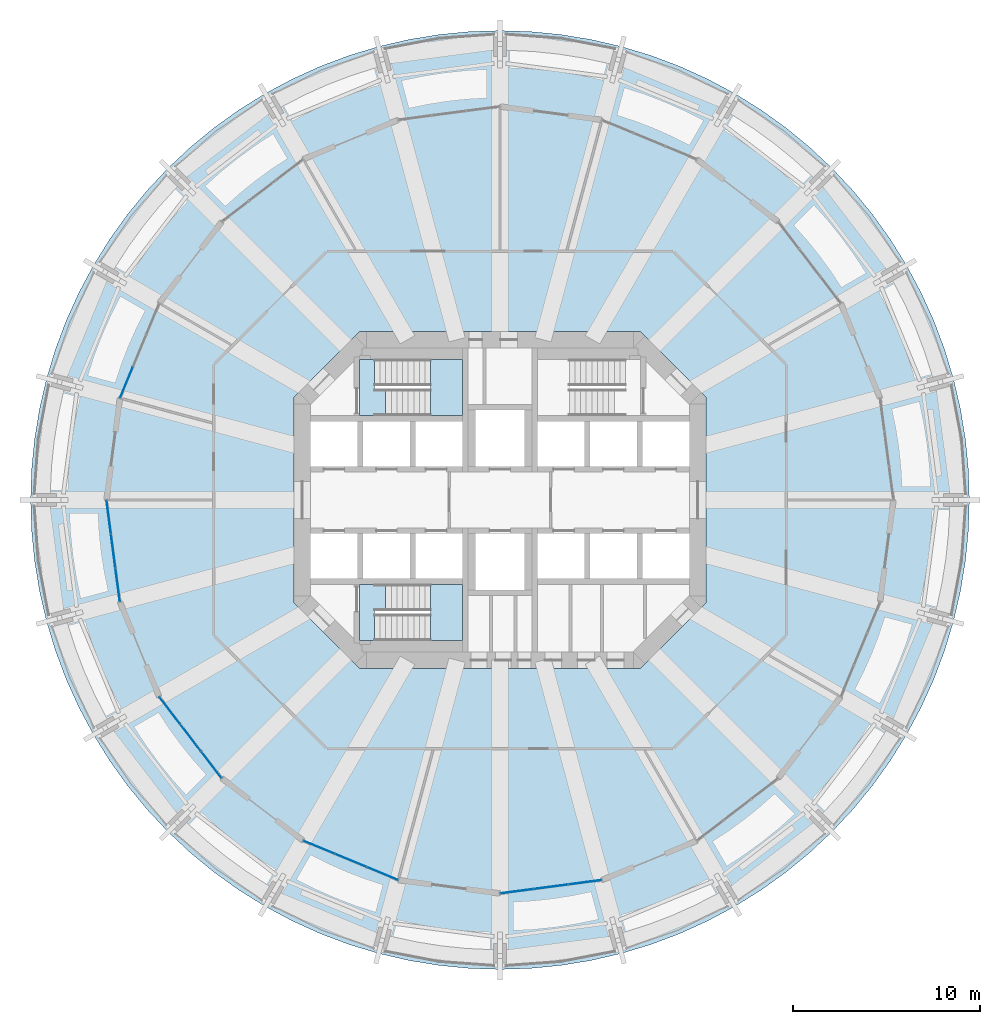
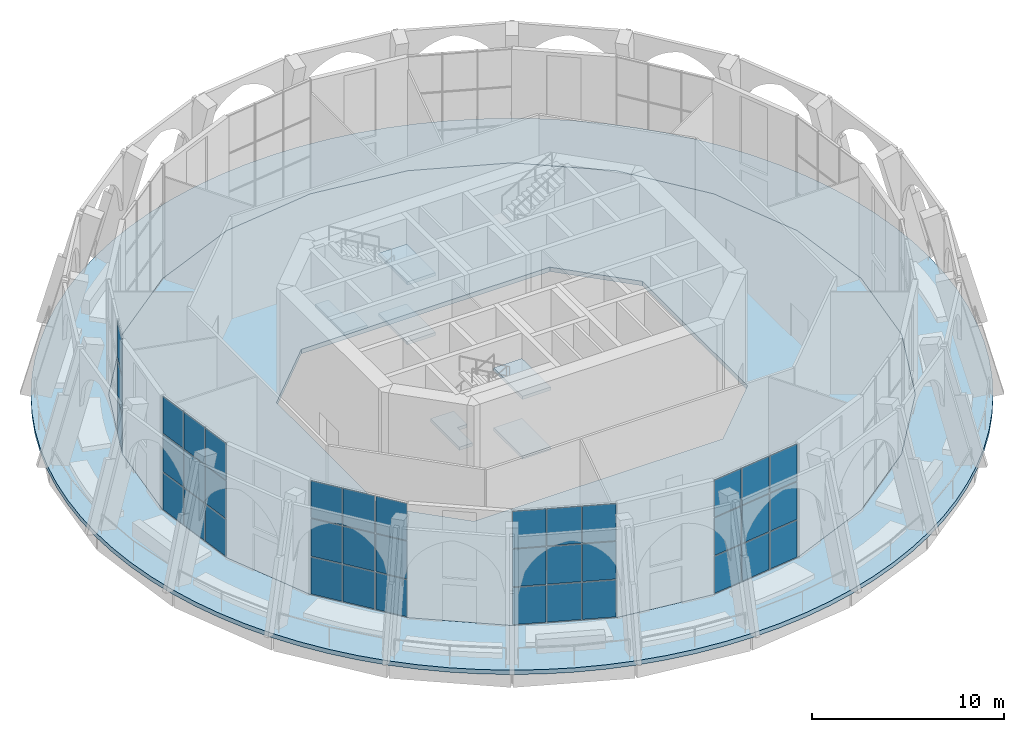
# One storey, part 9 of 18: 39 plates, 8 slabs, 7 elements without a shape of their own.
"""IFC4 building model written with IfcOpenShell, lengths in metres."""

import ifcopenshell
import ifcopenshell.guid

model = None  # the IFC model being written
_history = None  # IfcOwnerHistory: only IFC2X3 demands one
_inside = {}  # id of a spatial element -> (the spatial element, [elements in it])
_under = {}  # id of a project, library or spatial element -> (it, [spatial elements below it])
_declared = {}  # id of a project -> (the project, [libraries it declares])
_typed = {}  # id of a type object -> (the type object, [elements of that type])
_made_of = {}  # id of a material, layer set ... -> (it, [elements and type objects made of it])


def new_model(schema):
    """Start an empty IFC model of exactly this schema.

    Asked for "IFC4X3", IfcOpenShell would pick the latest addendum, in which some entities
    have other attributes; the version numbers below select the first issue.
    IFC2X3 requires an IfcOwnerHistory on every rooted entity: one is made here for all.
    """
    global model, _history
    if schema == "IFC4X3":
        model = ifcopenshell.file(schema_version=(4, 3, 0, 0))
    else:
        model = ifcopenshell.file(schema=schema)
    _inside.clear()
    _under.clear()
    _declared.clear()
    _typed.clear()
    _made_of.clear()
    _history = None
    if model.schema == "IFC2X3":
        org = make("IfcOrganization", Name="unknown")
        user = make(
            "IfcPersonAndOrganization",
            ThePerson=make("IfcPerson", FamilyName="unknown"),
            TheOrganization=org,
        )
        app = make(
            "IfcApplication",
            ApplicationDeveloper=org,
            Version="unknown",
            ApplicationFullName="unknown",
            ApplicationIdentifier="unknown",
        )
        _history = make(
            "IfcOwnerHistory",
            OwningUser=user,
            OwningApplication=app,
            ChangeAction="ADDED",
            CreationDate=0,
        )
    return model


def make(cls, **values):
    """One entity of the class cls with the attributes given. An attribute that is None is left unset."""
    return model.create_entity(
        cls, **{name: value for name, value in values.items() if value is not None}
    )


def rooted(cls, **values):
    """An entity with a GlobalId (a new one), such as an element, a storey or a relation."""
    return make(cls, GlobalId=ifcopenshell.guid.new(), OwnerHistory=_history, **values)


def si_unit(unit_type, name, prefix=None):
    """IfcSIUnit, for example si_unit("LENGTHUNIT", "METRE", prefix="MILLI")."""
    return make("IfcSIUnit", UnitType=unit_type, Prefix=prefix, Name=name)


def assignment(units):
    """IfcUnitAssignment: the units of a project."""
    return None if units is None else make("IfcUnitAssignment", Units=units)


def point(xyz):
    """IfcCartesianPoint."""
    return None if xyz is None else make("IfcCartesianPoint", Coordinates=xyz)


def direction(xyz):
    """IfcDirection."""
    return None if xyz is None else make("IfcDirection", DirectionRatios=xyz)


def frame(location, z_axis=None, x_axis=None):
    """IfcAxis2Placement3D, a coordinate frame: its origin and axes. An axis left out is left unset."""
    return make(
        "IfcAxis2Placement3D",
        Location=point(location),
        Axis=direction(z_axis),
        RefDirection=direction(x_axis),
    )


def frame_2d(location, x_axis=None):
    """IfcAxis2Placement2D, a coordinate frame in the plane: its origin and x axis."""
    return make(
        "IfcAxis2Placement2D", Location=point(location), RefDirection=direction(x_axis)
    )


def origin():
    """The frame at (0, 0, 0) with its axes left unset."""
    return frame((0.0, 0.0, 0.0))


def origin_2d():
    """The frame at (0, 0) in the plane with its x axis left unset."""
    return frame_2d((0.0, 0.0))


def place(relative_to, where):
    """IfcLocalPlacement: puts the frame where relative to a parent placement (None: the world)."""
    return make(
        "IfcLocalPlacement", PlacementRelTo=relative_to, RelativePlacement=where
    )


def context(
    kind, dimensions, precision=None, world=None, true_north=None, identifier=None
):
    """IfcGeometricRepresentationContext, for example the 3D "Model" context."""
    return make(
        "IfcGeometricRepresentationContext",
        ContextIdentifier=identifier,
        ContextType=kind,
        CoordinateSpaceDimension=dimensions,
        Precision=precision,
        WorldCoordinateSystem=world,
        TrueNorth=true_north,
    )


def subcontext(parent, identifier, kind, view, scale=None):
    """IfcGeometricRepresentationSubContext, for example "Body" below "Model"."""
    return make(
        "IfcGeometricRepresentationSubContext",
        ContextIdentifier=identifier,
        ContextType=kind,
        ParentContext=parent,
        TargetScale=scale,
        TargetView=view,
    )


def project(units=None, contexts=None):
    """IfcProject with its units and contexts."""
    return rooted(
        "IfcProject",
        Name="project",
        RepresentationContexts=contexts,
        UnitsInContext=assignment(units),
    )


def spatial(cls, under=None, at=None, **own):
    """A site, building, storey or space (cls), placed at a placement, below another one or the project."""
    s = rooted(cls, ObjectPlacement=at, **own)
    if under is not None:
        _under.setdefault(under.id(), (under, []))[1].append(s)
    return s


def polyline(points):
    """IfcPolyline through the points."""
    return make("IfcPolyline", Points=[point(p) for p in points])


def profile(cls, at=None, kind="AREA", **sizes):
    """A parametric profile (cls). Its sizes go by their IFC names, for example OverallWidth=200.0."""
    return make(cls, ProfileType=kind, Position=at, **sizes)


def rectangle(**sizes):
    """IfcRectangleProfileDef."""
    return profile("IfcRectangleProfileDef", **sizes)


def outline(outer, holes=None, kind="AREA"):
    """IfcArbitraryClosedProfileDef: a profile drawn as a closed curve; with holes, ...WithVoids."""
    if holes is None:
        return make("IfcArbitraryClosedProfileDef", ProfileType=kind, OuterCurve=outer)
    return make(
        "IfcArbitraryProfileDefWithVoids",
        ProfileType=kind,
        OuterCurve=outer,
        InnerCurves=holes,
    )


def extrude(swept, where, along, depth):
    """IfcExtrudedAreaSolid: the profile swept, set in the frame where, extruded along a direction by depth."""
    return make(
        "IfcExtrudedAreaSolid",
        SweptArea=swept,
        Position=where,
        ExtrudedDirection=direction(along),
        Depth=depth,
    )


def shape(context_of_items, identifier, shape_type, items):
    """IfcShapeRepresentation: the items that make up one representation, for example the "Body"."""
    return make(
        "IfcShapeRepresentation",
        ContextOfItems=context_of_items,
        RepresentationIdentifier=identifier,
        RepresentationType=shape_type,
        Items=items,
    )


def material(Name=None, Category=None):
    """IfcMaterial."""
    return make("IfcMaterial", Name=Name, Category=Category)


def layer(
    of_material, thickness, ventilated=None, Name=None, Category=None, Priority=None
):
    """IfcMaterialLayer: one layer of a wall or slab, of a material (None: an air gap)."""
    return make(
        "IfcMaterialLayer",
        Material=of_material,
        LayerThickness=thickness,
        IsVentilated=ventilated,
        Name=Name,
        Category=Category,
        Priority=Priority,
    )


def layer_set(layers, Name=None):
    """IfcMaterialLayerSet."""
    return make("IfcMaterialLayerSet", MaterialLayers=layers, LayerSetName=Name)


def made_of(thing, what):
    """Note that an element or type object is made of a material, layer set ...; save() writes the relation."""
    if what is not None:
        _made_of.setdefault(what.id(), (what, []))[1].append(thing)
    return thing


def type_object(cls, material=None, **own):
    """A type object (cls), such as IfcWallType, which elements share."""
    return made_of(rooted(cls, **own), material)


def element(
    cls,
    number,
    at=None,
    inside=None,
    cuts=None,
    type_object=None,
    material=None,
    context=None,
    identifier="Body",
    shape_type=None,
    held_by="IfcProductDefinitionShape",
    body=None,
    shapes=None,
    **own,
):
    """One element of the class cls, such as IfcWall. Its Tag is "e" and its number.

    at: its placement. inside: the storey or other place that contains it. cuts: it is an
    opening in that element (IfcRelVoidsElement). A single representation is given by context,
    identifier, shape_type and body (its items); several are given by shapes. held_by: the class
    of the entity that holds the representations. save() writes the other relations.
    """
    e = rooted(cls, Tag="e%d" % number, ObjectPlacement=at, **own)
    if body is not None:
        shapes = [shape(context, identifier, shape_type, body)]
    if shapes is not None:
        e.Representation = make(held_by, Representations=shapes)
    if inside is not None:
        _inside.setdefault(inside.id(), (inside, []))[1].append(e)
    if cuts is not None:
        rooted(
            "IfcRelVoidsElement", RelatingBuildingElement=cuts, RelatedOpeningElement=e
        )
    if type_object is not None:
        _typed.setdefault(type_object.id(), (type_object, []))[1].append(e)
    return made_of(e, material)


def aggregate(whole, parts):
    """IfcRelAggregates: a whole, such as a stair, and the parts it consists of."""
    return rooted("IfcRelAggregates", RelatingObject=whole, RelatedObjects=parts)


def save(model, path):
    """Write the relations noted so far, then the file.

    IfcRelAggregates (storeys below a building ...), IfcRelContainedInSpatialStructure (elements
    in a storey), IfcRelDefinesByType, IfcRelAssociatesMaterial and IfcRelDeclares: one each for
    every whole, place, type object, material and project.
    """
    for whole, parts in _under.values():
        aggregate(whole, parts)
    for where, things in _inside.values():
        rooted(
            "IfcRelContainedInSpatialStructure",
            RelatedElements=things,
            RelatingStructure=where,
        )
    for kind, things in _typed.values():
        rooted("IfcRelDefinesByType", RelatedObjects=things, RelatingType=kind)
    for what, things in _made_of.values():
        rooted("IfcRelAssociatesMaterial", RelatedObjects=things, RelatingMaterial=what)
    for by, libraries in _declared.values():
        rooted("IfcRelDeclares", RelatingContext=by, RelatedDefinitions=libraries)
    model.write(path)


model = new_model("IFC4")

# Units and contexts
model_context = context("Model", 3, precision=1e-05, world=origin(), true_north=direction((0.0, 1.0)))
body_context = subcontext(model_context, "Body", "Model", "MODEL_VIEW")
ifc_project = project(units=[si_unit("LENGTHUNIT", "METRE"), si_unit("AREAUNIT", "SQUARE_METRE"), si_unit("VOLUMEUNIT", "CUBIC_METRE"), si_unit("PLANEANGLEUNIT", "RADIAN"), si_unit("MASSUNIT", "GRAM", prefix="KILO")], contexts=[model_context])

# Site, building, storey
site_placement = place(None, origin())
site = spatial("IfcSite", under=ifc_project, at=site_placement, CompositionType="ELEMENT")
building_placement = place(site_placement, origin())
building = spatial("IfcBuilding", under=site, at=building_placement, Name="Torre Triforio", CompositionType="ELEMENT")
storey_placement = place(building_placement, frame((0.0, 0.0, 146.60009765625)))
storey = spatial("IfcBuildingStorey", under=building, at=storey_placement, Name="L33", CompositionType="ELEMENT", Elevation=146.60009765625)

# Curtain wall, plates
ifc_material_1 = material(Name="Aluminium mullion and transom frame with clear laminated glass", Category="aluminium")
curtain_wall_type = type_object("IfcCurtainWallType", Name="Sky garden conservatory wall ECW3", PredefinedType="NOTDEFINED", material=ifc_material_1)
curtain_wall_1_placement = place(storey_placement, origin())
curtain_wall_1 = element("IfcCurtainWall", 1, at=curtain_wall_1_placement, inside=storey, type_object=curtain_wall_type, Name="Conservatory wall L33 bay 11", PredefinedType="NOTDEFINED")
ifc_material_2 = material(Name="Clear laminated glass", Category="glass")
ifc_layer_1 = layer(ifc_material_2, 0.028076171875)
ifc_layer_set_1 = layer_set([ifc_layer_1], Name="Clear laminated glass")
plate_type = type_object("IfcPlateType", Name="ECW3 glass panel 28", PredefinedType="CURTAIN_PANEL", material=ifc_layer_set_1)
plate_1_placement = place(storey_placement, frame((-19.936767578125, 6.274658203125, 0.059814453125), z_axis=(0.0, 0.0, 1.0), x_axis=(-0.382674764107, -0.923883122974, 0.0)))
plate_1 = element("IfcPlate", 2, at=plate_1_placement, type_object=plate_type, Name="ECW3 panel 3.1", PredefinedType="CURTAIN_PANEL", context=body_context, shape_type="SweptSolid", body=[
    extrude(rectangle(XDim=1.75732421875, YDim=0.028076171875, at=origin_2d()), origin(), (0.0, 0.0, 1.0), 2.35009765625),
])
plate_2_placement = place(storey_placement, frame((-19.936767578125, 6.274658203125, 2.469970703125), z_axis=(0.0, 0.0, 1.0), x_axis=(-0.382674764107, -0.923883122974, 0.0)))
plate_2 = element("IfcPlate", 3, at=plate_2_placement, type_object=plate_type, Name="ECW3 panel 3.2", PredefinedType="CURTAIN_PANEL", context=body_context, shape_type="SweptSolid", body=[
    extrude(rectangle(XDim=1.75732421875, YDim=0.028076171875, at=origin_2d()), origin(), (0.0, 0.0, 1.0), 2.3798828125),
])
plate_3_placement = place(storey_placement, frame((-19.936767578125, 6.274658203125, 4.909912109375), z_axis=(0.0, 0.0, 1.0), x_axis=(-0.382674764107, -0.923883122974, 0.0)))
plate_3 = element("IfcPlate", 4, at=plate_3_placement, type_object=plate_type, Name="ECW3 panel 3.3", PredefinedType="CURTAIN_PANEL", context=body_context, shape_type="SweptSolid", body=[
    extrude(rectangle(XDim=1.75732421875, YDim=0.028076171875, at=origin_2d()), origin(), (0.0, 0.0, 1.0), 2.35009765625),
])
aggregate(curtain_wall_1, [plate_1, plate_2, plate_3])

curtain_wall_2_placement = place(storey_placement, origin())
curtain_wall_2 = element("IfcCurtainWall", 5, at=curtain_wall_2_placement, inside=storey, type_object=curtain_wall_type, Name="Conservatory wall L33 bay 13", PredefinedType="NOTDEFINED")
plate_4_placement = place(storey_placement, frame((-20.88134765625, -0.90087890625, 0.059814453125), z_axis=(0.0, 0.0, 1.0), x_axis=(0.130530127386, -0.991444343291, 0.0)))
plate_4 = element("IfcPlate", 6, at=plate_4_placement, type_object=plate_type, Name="ECW3 panel 1.1", PredefinedType="CURTAIN_PANEL", context=body_context, shape_type="SweptSolid", body=[
    extrude(rectangle(XDim=1.75732421875, YDim=0.028076171875, at=origin_2d()), origin(), (0.0, 0.0, 1.0), 2.35009765625),
])
plate_5_placement = place(storey_placement, frame((-20.88134765625, -0.90087890625, 2.469970703125), z_axis=(0.0, 0.0, 1.0), x_axis=(0.130530127386, -0.991444343291, 0.0)))
plate_5 = element("IfcPlate", 7, at=plate_5_placement, type_object=plate_type, Name="ECW3 panel 1.2", PredefinedType="CURTAIN_PANEL", context=body_context, shape_type="SweptSolid", body=[
    extrude(rectangle(XDim=1.75732421875, YDim=0.028076171875, at=origin_2d()), origin(), (0.0, 0.0, 1.0), 2.3798828125),
])
plate_6_placement = place(storey_placement, frame((-20.88134765625, -0.90087890625, 4.909912109375), z_axis=(0.0, 0.0, 1.0), x_axis=(0.130530127386, -0.991444343291, 0.0)))
plate_6 = element("IfcPlate", 8, at=plate_6_placement, type_object=plate_type, Name="ECW3 panel 1.3", PredefinedType="CURTAIN_PANEL", context=body_context, shape_type="SweptSolid", body=[
    extrude(rectangle(XDim=1.75732421875, YDim=0.028076171875, at=origin_2d()), origin(), (0.0, 0.0, 1.0), 2.35009765625),
])
plate_7_placement = place(storey_placement, frame((-20.64208984375, -2.717529296875, 0.059814453125), z_axis=(0.0, 0.0, 1.0), x_axis=(0.130530127386, -0.991444343291, 0.0)))
plate_7 = element("IfcPlate", 9, at=plate_7_placement, type_object=plate_type, Name="ECW3 panel 2.1", PredefinedType="CURTAIN_PANEL", context=body_context, shape_type="SweptSolid", body=[
    extrude(rectangle(XDim=1.787353515625, YDim=0.028076171875, at=origin_2d()), origin(), (0.0, 0.0, 1.0), 2.35009765625),
])
plate_8_placement = place(storey_placement, frame((-20.64208984375, -2.717529296875, 2.469970703125), z_axis=(0.0, 0.0, 1.0), x_axis=(0.130530127386, -0.991444343291, 0.0)))
plate_8 = element("IfcPlate", 10, at=plate_8_placement, type_object=plate_type, Name="ECW3 panel 2.2", PredefinedType="CURTAIN_PANEL", context=body_context, shape_type="SweptSolid", body=[
    extrude(rectangle(XDim=1.787353515625, YDim=0.028076171875, at=origin_2d()), origin(), (0.0, 0.0, 1.0), 2.3798828125),
])
plate_9_placement = place(storey_placement, frame((-20.64208984375, -2.717529296875, 4.909912109375), z_axis=(0.0, 0.0, 1.0), x_axis=(0.130530127386, -0.991444343291, 0.0)))
plate_9 = element("IfcPlate", 11, at=plate_9_placement, type_object=plate_type, Name="ECW3 panel 2.3", PredefinedType="CURTAIN_PANEL", context=body_context, shape_type="SweptSolid", body=[
    extrude(rectangle(XDim=1.787353515625, YDim=0.028076171875, at=origin_2d()), origin(), (0.0, 0.0, 1.0), 2.35009765625),
])
plate_10_placement = place(storey_placement, frame((-20.403076171875, -4.5341796875, 0.059814453125), z_axis=(0.0, 0.0, 1.0), x_axis=(0.130530127386, -0.991444343291, 0.0)))
plate_10 = element("IfcPlate", 12, at=plate_10_placement, type_object=plate_type, Name="ECW3 panel 3.1", PredefinedType="CURTAIN_PANEL", context=body_context, shape_type="SweptSolid", body=[
    extrude(rectangle(XDim=1.75732421875, YDim=0.028076171875, at=origin_2d()), origin(), (0.0, 0.0, 1.0), 2.35009765625),
])
plate_11_placement = place(storey_placement, frame((-20.403076171875, -4.5341796875, 2.469970703125), z_axis=(0.0, 0.0, 1.0), x_axis=(0.130530127386, -0.991444343291, 0.0)))
plate_11 = element("IfcPlate", 13, at=plate_11_placement, type_object=plate_type, Name="ECW3 panel 3.2", PredefinedType="CURTAIN_PANEL", context=body_context, shape_type="SweptSolid", body=[
    extrude(rectangle(XDim=1.75732421875, YDim=0.028076171875, at=origin_2d()), origin(), (0.0, 0.0, 1.0), 2.3798828125),
])
plate_12_placement = place(storey_placement, frame((-20.403076171875, -4.5341796875, 4.909912109375), z_axis=(0.0, 0.0, 1.0), x_axis=(0.130530127386, -0.991444343291, 0.0)))
plate_12 = element("IfcPlate", 14, at=plate_12_placement, type_object=plate_type, Name="ECW3 panel 3.3", PredefinedType="CURTAIN_PANEL", context=body_context, shape_type="SweptSolid", body=[
    extrude(rectangle(XDim=1.75732421875, YDim=0.028076171875, at=origin_2d()), origin(), (0.0, 0.0, 1.0), 2.35009765625),
])
aggregate(curtain_wall_2, [plate_4, plate_5, plate_6, plate_7, plate_8, plate_9, plate_10, plate_11, plate_12])

curtain_wall_3_placement = place(storey_placement, origin())
curtain_wall_3 = element("IfcCurtainWall", 15, at=curtain_wall_3_placement, inside=storey, type_object=curtain_wall_type, Name="Conservatory wall L33 bay 15", PredefinedType="NOTDEFINED")
plate_13_placement = place(storey_placement, frame((-17.63330078125, -11.220947265625, 0.059814453125), z_axis=(0.0, 0.0, 1.0), x_axis=(0.608763325538, -0.793351885029, 0.0)))
plate_13 = element("IfcPlate", 16, at=plate_13_placement, type_object=plate_type, Name="ECW3 panel 1.1", PredefinedType="CURTAIN_PANEL", context=body_context, shape_type="SweptSolid", body=[
    extrude(rectangle(XDim=1.75732421875, YDim=0.028076171875, at=origin_2d()), origin(), (0.0, 0.0, 1.0), 2.35009765625),
])
plate_14_placement = place(storey_placement, frame((-17.63330078125, -11.220947265625, 2.469970703125), z_axis=(0.0, 0.0, 1.0), x_axis=(0.608763325538, -0.793351885029, 0.0)))
plate_14 = element("IfcPlate", 17, at=plate_14_placement, type_object=plate_type, Name="ECW3 panel 1.2", PredefinedType="CURTAIN_PANEL", context=body_context, shape_type="SweptSolid", body=[
    extrude(rectangle(XDim=1.75732421875, YDim=0.028076171875, at=origin_2d()), origin(), (0.0, 0.0, 1.0), 2.3798828125),
])
plate_15_placement = place(storey_placement, frame((-17.63330078125, -11.220947265625, 4.909912109375), z_axis=(0.0, 0.0, 1.0), x_axis=(0.608763325538, -0.793351885029, 0.0)))
plate_15 = element("IfcPlate", 18, at=plate_15_placement, type_object=plate_type, Name="ECW3 panel 1.3", PredefinedType="CURTAIN_PANEL", context=body_context, shape_type="SweptSolid", body=[
    extrude(rectangle(XDim=1.75732421875, YDim=0.028076171875, at=origin_2d()), origin(), (0.0, 0.0, 1.0), 2.35009765625),
])
plate_16_placement = place(storey_placement, frame((-16.517822265625, -12.674560546875, 0.059814453125), z_axis=(0.0, 0.0, 1.0), x_axis=(0.608763325538, -0.793351885029, 0.0)))
plate_16 = element("IfcPlate", 19, at=plate_16_placement, type_object=plate_type, Name="ECW3 panel 2.1", PredefinedType="CURTAIN_PANEL", context=body_context, shape_type="SweptSolid", body=[
    extrude(rectangle(XDim=1.787353515625, YDim=0.028076171875, at=origin_2d()), origin(), (0.0, 0.0, 1.0), 2.35009765625),
])
plate_17_placement = place(storey_placement, frame((-16.517822265625, -12.674560546875, 2.469970703125), z_axis=(0.0, 0.0, 1.0), x_axis=(0.608763325538, -0.793351885029, 0.0)))
plate_17 = element("IfcPlate", 20, at=plate_17_placement, type_object=plate_type, Name="ECW3 panel 2.2", PredefinedType="CURTAIN_PANEL", context=body_context, shape_type="SweptSolid", body=[
    extrude(rectangle(XDim=1.787353515625, YDim=0.028076171875, at=origin_2d()), origin(), (0.0, 0.0, 1.0), 2.3798828125),
])
plate_18_placement = place(storey_placement, frame((-16.517822265625, -12.674560546875, 4.909912109375), z_axis=(0.0, 0.0, 1.0), x_axis=(0.608763325538, -0.793351885029, 0.0)))
plate_18 = element("IfcPlate", 21, at=plate_18_placement, type_object=plate_type, Name="ECW3 panel 2.3", PredefinedType="CURTAIN_PANEL", context=body_context, shape_type="SweptSolid", body=[
    extrude(rectangle(XDim=1.787353515625, YDim=0.028076171875, at=origin_2d()), origin(), (0.0, 0.0, 1.0), 2.35009765625),
])
plate_19_placement = place(storey_placement, frame((-15.40234375, -14.12841796875, 0.059814453125), z_axis=(0.0, 0.0, 1.0), x_axis=(0.608763325538, -0.793351885029, 0.0)))
plate_19 = element("IfcPlate", 22, at=plate_19_placement, type_object=plate_type, Name="ECW3 panel 3.1", PredefinedType="CURTAIN_PANEL", context=body_context, shape_type="SweptSolid", body=[
    extrude(rectangle(XDim=1.75732421875, YDim=0.028076171875, at=origin_2d()), origin(), (0.0, 0.0, 1.0), 2.35009765625),
])
plate_20_placement = place(storey_placement, frame((-15.40234375, -14.12841796875, 2.469970703125), z_axis=(0.0, 0.0, 1.0), x_axis=(0.608763325538, -0.793351885029, 0.0)))
plate_20 = element("IfcPlate", 23, at=plate_20_placement, type_object=plate_type, Name="ECW3 panel 3.2", PredefinedType="CURTAIN_PANEL", context=body_context, shape_type="SweptSolid", body=[
    extrude(rectangle(XDim=1.75732421875, YDim=0.028076171875, at=origin_2d()), origin(), (0.0, 0.0, 1.0), 2.3798828125),
])
plate_21_placement = place(storey_placement, frame((-15.40234375, -14.12841796875, 4.909912109375), z_axis=(0.0, 0.0, 1.0), x_axis=(0.608763325538, -0.793351885029, 0.0)))
plate_21 = element("IfcPlate", 24, at=plate_21_placement, type_object=plate_type, Name="ECW3 panel 3.3", PredefinedType="CURTAIN_PANEL", context=body_context, shape_type="SweptSolid", body=[
    extrude(rectangle(XDim=1.75732421875, YDim=0.028076171875, at=origin_2d()), origin(), (0.0, 0.0, 1.0), 2.35009765625),
])
aggregate(curtain_wall_3, [plate_13, plate_14, plate_15, plate_16, plate_17, plate_18, plate_19, plate_20, plate_21])

curtain_wall_4_placement = place(storey_placement, origin())
curtain_wall_4 = element("IfcCurtainWall", 25, at=curtain_wall_4_placement, inside=storey, type_object=curtain_wall_type, Name="Conservatory wall L33 bay 17", PredefinedType="NOTDEFINED")
plate_22_placement = place(storey_placement, frame((-9.660400390625, -18.534423828125, 0.059814453125), z_axis=(0.0, 0.0, 1.0), x_axis=(0.923883122974, -0.382674764107, 0.0)))
plate_22 = element("IfcPlate", 26, at=plate_22_placement, type_object=plate_type, Name="ECW3 panel 1.1", PredefinedType="CURTAIN_PANEL", context=body_context, shape_type="SweptSolid", body=[
    extrude(rectangle(XDim=1.75732421875, YDim=0.028076171875, at=origin_2d()), origin(), (0.0, 0.0, 1.0), 2.35009765625),
])
plate_23_placement = place(storey_placement, frame((-9.660400390625, -18.534423828125, 2.469970703125), z_axis=(0.0, 0.0, 1.0), x_axis=(0.923883122974, -0.382674764107, 0.0)))
plate_23 = element("IfcPlate", 27, at=plate_23_placement, type_object=plate_type, Name="ECW3 panel 1.2", PredefinedType="CURTAIN_PANEL", context=body_context, shape_type="SweptSolid", body=[
    extrude(rectangle(XDim=1.75732421875, YDim=0.028076171875, at=origin_2d()), origin(), (0.0, 0.0, 1.0), 2.3798828125),
])
plate_24_placement = place(storey_placement, frame((-9.660400390625, -18.534423828125, 4.909912109375), z_axis=(0.0, 0.0, 1.0), x_axis=(0.923883122974, -0.382674764107, 0.0)))
plate_24 = element("IfcPlate", 28, at=plate_24_placement, type_object=plate_type, Name="ECW3 panel 1.3", PredefinedType="CURTAIN_PANEL", context=body_context, shape_type="SweptSolid", body=[
    extrude(rectangle(XDim=1.75732421875, YDim=0.028076171875, at=origin_2d()), origin(), (0.0, 0.0, 1.0), 2.35009765625),
])
plate_25_placement = place(storey_placement, frame((-7.967529296875, -19.235595703125, 0.059814453125), z_axis=(0.0, 0.0, 1.0), x_axis=(0.923883122974, -0.382674764107, 0.0)))
plate_25 = element("IfcPlate", 29, at=plate_25_placement, type_object=plate_type, Name="ECW3 panel 2.1", PredefinedType="CURTAIN_PANEL", context=body_context, shape_type="SweptSolid", body=[
    extrude(rectangle(XDim=1.787353515625, YDim=0.028076171875, at=origin_2d()), origin(), (0.0, 0.0, 1.0), 2.35009765625),
])
plate_26_placement = place(storey_placement, frame((-7.967529296875, -19.235595703125, 2.469970703125), z_axis=(0.0, 0.0, 1.0), x_axis=(0.923883122974, -0.382674764107, 0.0)))
plate_26 = element("IfcPlate", 30, at=plate_26_placement, type_object=plate_type, Name="ECW3 panel 2.2", PredefinedType="CURTAIN_PANEL", context=body_context, shape_type="SweptSolid", body=[
    extrude(rectangle(XDim=1.787353515625, YDim=0.028076171875, at=origin_2d()), origin(), (0.0, 0.0, 1.0), 2.3798828125),
])
plate_27_placement = place(storey_placement, frame((-7.967529296875, -19.235595703125, 4.909912109375), z_axis=(0.0, 0.0, 1.0), x_axis=(0.923883122974, -0.382674764107, 0.0)))
plate_27 = element("IfcPlate", 31, at=plate_27_placement, type_object=plate_type, Name="ECW3 panel 2.3", PredefinedType="CURTAIN_PANEL", context=body_context, shape_type="SweptSolid", body=[
    extrude(rectangle(XDim=1.787353515625, YDim=0.028076171875, at=origin_2d()), origin(), (0.0, 0.0, 1.0), 2.35009765625),
])
plate_28_placement = place(storey_placement, frame((-6.274658203125, -19.936767578125, 0.059814453125), z_axis=(0.0, 0.0, 1.0), x_axis=(0.923883122974, -0.382674764107, 0.0)))
plate_28 = element("IfcPlate", 32, at=plate_28_placement, type_object=plate_type, Name="ECW3 panel 3.1", PredefinedType="CURTAIN_PANEL", context=body_context, shape_type="SweptSolid", body=[
    extrude(rectangle(XDim=1.75732421875, YDim=0.028076171875, at=origin_2d()), origin(), (0.0, 0.0, 1.0), 2.35009765625),
])
plate_29_placement = place(storey_placement, frame((-6.274658203125, -19.936767578125, 2.469970703125), z_axis=(0.0, 0.0, 1.0), x_axis=(0.923883122974, -0.382674764107, 0.0)))
plate_29 = element("IfcPlate", 33, at=plate_29_placement, type_object=plate_type, Name="ECW3 panel 3.2", PredefinedType="CURTAIN_PANEL", context=body_context, shape_type="SweptSolid", body=[
    extrude(rectangle(XDim=1.75732421875, YDim=0.028076171875, at=origin_2d()), origin(), (0.0, 0.0, 1.0), 2.3798828125),
])
plate_30_placement = place(storey_placement, frame((-6.274658203125, -19.936767578125, 4.909912109375), z_axis=(0.0, 0.0, 1.0), x_axis=(0.923883122974, -0.382674764107, 0.0)))
plate_30 = element("IfcPlate", 34, at=plate_30_placement, type_object=plate_type, Name="ECW3 panel 3.3", PredefinedType="CURTAIN_PANEL", context=body_context, shape_type="SweptSolid", body=[
    extrude(rectangle(XDim=1.75732421875, YDim=0.028076171875, at=origin_2d()), origin(), (0.0, 0.0, 1.0), 2.35009765625),
])
aggregate(curtain_wall_4, [plate_22, plate_23, plate_24, plate_25, plate_26, plate_27, plate_28, plate_29, plate_30])

curtain_wall_5_placement = place(storey_placement, origin())
curtain_wall_5 = element("IfcCurtainWall", 35, at=curtain_wall_5_placement, inside=storey, type_object=curtain_wall_type, Name="Conservatory wall L33 bay 19", PredefinedType="NOTDEFINED")
plate_31_placement = place(storey_placement, frame((0.90087890625, -20.88134765625, 0.059814453125), z_axis=(0.0, 0.0, 1.0), x_axis=(0.991444343291, 0.130530127386, 0.0)))
plate_31 = element("IfcPlate", 36, at=plate_31_placement, type_object=plate_type, Name="ECW3 panel 1.1", PredefinedType="CURTAIN_PANEL", context=body_context, shape_type="SweptSolid", body=[
    extrude(rectangle(XDim=1.75732421875, YDim=0.028076171875, at=origin_2d()), origin(), (0.0, 0.0, 1.0), 2.35009765625),
])
plate_32_placement = place(storey_placement, frame((0.90087890625, -20.88134765625, 2.469970703125), z_axis=(0.0, 0.0, 1.0), x_axis=(0.991444343291, 0.130530127386, 0.0)))
plate_32 = element("IfcPlate", 37, at=plate_32_placement, type_object=plate_type, Name="ECW3 panel 1.2", PredefinedType="CURTAIN_PANEL", context=body_context, shape_type="SweptSolid", body=[
    extrude(rectangle(XDim=1.75732421875, YDim=0.028076171875, at=origin_2d()), origin(), (0.0, 0.0, 1.0), 2.3798828125),
])
plate_33_placement = place(storey_placement, frame((0.90087890625, -20.88134765625, 4.909912109375), z_axis=(0.0, 0.0, 1.0), x_axis=(0.991444343291, 0.130530127386, 0.0)))
plate_33 = element("IfcPlate", 38, at=plate_33_placement, type_object=plate_type, Name="ECW3 panel 1.3", PredefinedType="CURTAIN_PANEL", context=body_context, shape_type="SweptSolid", body=[
    extrude(rectangle(XDim=1.75732421875, YDim=0.028076171875, at=origin_2d()), origin(), (0.0, 0.0, 1.0), 2.35009765625),
])
plate_34_placement = place(storey_placement, frame((2.717529296875, -20.64208984375, 0.059814453125), z_axis=(0.0, 0.0, 1.0), x_axis=(0.991444343291, 0.130530127386, 0.0)))
plate_34 = element("IfcPlate", 39, at=plate_34_placement, type_object=plate_type, Name="ECW3 panel 2.1", PredefinedType="CURTAIN_PANEL", context=body_context, shape_type="SweptSolid", body=[
    extrude(rectangle(XDim=1.787353515625, YDim=0.028076171875, at=origin_2d()), origin(), (0.0, 0.0, 1.0), 2.35009765625),
])
plate_35_placement = place(storey_placement, frame((2.717529296875, -20.64208984375, 2.469970703125), z_axis=(0.0, 0.0, 1.0), x_axis=(0.991444343291, 0.130530127386, 0.0)))
plate_35 = element("IfcPlate", 40, at=plate_35_placement, type_object=plate_type, Name="ECW3 panel 2.2", PredefinedType="CURTAIN_PANEL", context=body_context, shape_type="SweptSolid", body=[
    extrude(rectangle(XDim=1.787353515625, YDim=0.028076171875, at=origin_2d()), origin(), (0.0, 0.0, 1.0), 2.3798828125),
])
plate_36_placement = place(storey_placement, frame((2.717529296875, -20.64208984375, 4.909912109375), z_axis=(0.0, 0.0, 1.0), x_axis=(0.991444343291, 0.130530127386, 0.0)))
plate_36 = element("IfcPlate", 41, at=plate_36_placement, type_object=plate_type, Name="ECW3 panel 2.3", PredefinedType="CURTAIN_PANEL", context=body_context, shape_type="SweptSolid", body=[
    extrude(rectangle(XDim=1.787353515625, YDim=0.028076171875, at=origin_2d()), origin(), (0.0, 0.0, 1.0), 2.35009765625),
])
plate_37_placement = place(storey_placement, frame((4.5341796875, -20.403076171875, 0.059814453125), z_axis=(0.0, 0.0, 1.0), x_axis=(0.991444343291, 0.130530127386, 0.0)))
plate_37 = element("IfcPlate", 42, at=plate_37_placement, type_object=plate_type, Name="ECW3 panel 3.1", PredefinedType="CURTAIN_PANEL", context=body_context, shape_type="SweptSolid", body=[
    extrude(rectangle(XDim=1.75732421875, YDim=0.028076171875, at=origin_2d()), origin(), (0.0, 0.0, 1.0), 2.35009765625),
])
plate_38_placement = place(storey_placement, frame((4.5341796875, -20.403076171875, 2.469970703125), z_axis=(0.0, 0.0, 1.0), x_axis=(0.991444343291, 0.130530127386, 0.0)))
plate_38 = element("IfcPlate", 43, at=plate_38_placement, type_object=plate_type, Name="ECW3 panel 3.2", PredefinedType="CURTAIN_PANEL", context=body_context, shape_type="SweptSolid", body=[
    extrude(rectangle(XDim=1.75732421875, YDim=0.028076171875, at=origin_2d()), origin(), (0.0, 0.0, 1.0), 2.3798828125),
])
plate_39_placement = place(storey_placement, frame((4.5341796875, -20.403076171875, 4.909912109375), z_axis=(0.0, 0.0, 1.0), x_axis=(0.991444343291, 0.130530127386, 0.0)))
plate_39 = element("IfcPlate", 44, at=plate_39_placement, type_object=plate_type, Name="ECW3 panel 3.3", PredefinedType="CURTAIN_PANEL", context=body_context, shape_type="SweptSolid", body=[
    extrude(rectangle(XDim=1.75732421875, YDim=0.028076171875, at=origin_2d()), origin(), (0.0, 0.0, 1.0), 2.35009765625),
])
aggregate(curtain_wall_5, [plate_31, plate_32, plate_33, plate_34, plate_35, plate_36, plate_37, plate_38, plate_39])

# Slabs
ifc_material_3 = material(Name="Concrete C50", Category="concrete")
ifc_layer_2 = layer(ifc_material_3, 0.280029296875)
ifc_layer_set_2 = layer_set([ifc_layer_2], Name="Concrete C50")
slab_type_1 = type_object("IfcSlabType", Name="Floor slab 280 C50", PredefinedType="FLOOR", material=ifc_layer_set_2)
slab_1_placement = place(storey_placement, frame((0.0, 0.0, -0.280029296875)))
element("IfcSlab", 45, at=slab_1_placement, inside=storey, type_object=slab_type_1, Name="SL.L33", PredefinedType="FLOOR", context=body_context, shape_type="SweptSolid", body=[
    extrude(outline(polyline([(18.1865234375, -10.5), (20.284423828125, -5.435302734375), (21.0, 0.0), (20.284423828125, 5.435302734375), (18.1865234375, 10.5), (14.84912109375, 14.84912109375), (10.5, 18.1865234375), (5.435302734375, 20.284423828125), (0.0, 21.0), (-5.435302734375, 20.284423828125), (-10.5, 18.1865234375), (-14.84912109375, 14.84912109375), (-18.1865234375, 10.5), (-20.284423828125, 5.435302734375), (-21.0, 0.0), (-20.284423828125, -5.435302734375), (-18.1865234375, -10.5), (-14.84912109375, -14.84912109375), (-10.5, -18.1865234375), (-5.435302734375, -20.284423828125), (0.0, -21.0), (5.435302734375, -20.284423828125), (10.5, -18.1865234375), (14.84912109375, -14.84912109375), (18.1865234375, -10.5)]), holes=[polyline([(11.0, 5.472900390625), (11.0, -5.472900390625), (7.472900390625, -9.0), (-7.472900390625, -9.0), (-11.0, -5.472900390625), (-11.0, 5.472900390625), (-7.472900390625, 9.0), (7.472900390625, 9.0), (11.0, 5.472900390625)])]), origin(), (0.0, 0.0, 1.0), 0.280029296875),
])
ifc_layer_3 = layer(ifc_material_3, 0.280029296875)
ifc_layer_set_3 = layer_set([ifc_layer_3], Name="Concrete C50")
slab_type_2 = type_object("IfcSlabType", Name="Loggia slab 280 C50", PredefinedType="FLOOR", material=ifc_layer_set_3)
slab_2_placement = place(storey_placement, frame((0.0, 0.0, -0.280029296875)))
element("IfcSlab", 46, at=slab_2_placement, inside=storey, type_object=slab_type_2, Name="SL.L33.LG", PredefinedType="FLOOR", context=body_context, shape_type="SweptSolid", body=[
    extrude(outline(polyline([(24.996337890625, -1.638427734375), (25.050048828125, 0.0), (24.996337890625, 1.638427734375), (24.835693359375, 3.269775390625), (24.568603515625, 4.886962890625), (24.196533203125, 6.4833984375), (23.720703125, 8.052001953125), (23.14306640625, 9.586181640625), (22.466552734375, 11.079345703125), (21.69384765625, 12.52490234375), (20.828369140625, 13.9169921875), (19.87353515625, 15.24951171875), (18.83349609375, 16.5166015625), (17.713134765625, 17.713134765625), (16.5166015625, 18.83349609375), (15.24951171875, 19.87353515625), (13.9169921875, 20.828369140625), (12.52490234375, 21.69384765625), (11.079345703125, 22.466552734375), (9.586181640625, 23.14306640625), (8.052001953125, 23.720703125), (6.4833984375, 24.196533203125), (4.886962890625, 24.568603515625), (3.269775390625, 24.835693359375), (1.638427734375, 24.996337890625), (0.0, 25.050048828125), (-1.638427734375, 24.996337890625), (-3.269775390625, 24.835693359375), (-4.886962890625, 24.568603515625), (-6.4833984375, 24.196533203125), (-8.052001953125, 23.720703125), (-9.586181640625, 23.14306640625), (-11.079345703125, 22.466552734375), (-12.52490234375, 21.69384765625), (-13.9169921875, 20.828369140625), (-15.24951171875, 19.87353515625), (-16.5166015625, 18.83349609375), (-17.713134765625, 17.713134765625), (-18.83349609375, 16.5166015625), (-19.87353515625, 15.24951171875), (-20.828369140625, 13.9169921875), (-21.69384765625, 12.52490234375), (-22.466552734375, 11.079345703125), (-23.14306640625, 9.586181640625), (-23.720703125, 8.052001953125), (-24.196533203125, 6.4833984375), (-24.568603515625, 4.886962890625), (-24.835693359375, 3.269775390625), (-24.996337890625, 1.638427734375), (-25.050048828125, 0.0), (-24.996337890625, -1.638427734375), (-24.835693359375, -3.269775390625), (-24.568603515625, -4.886962890625), (-24.196533203125, -6.4833984375), (-23.720703125, -8.052001953125), (-23.14306640625, -9.586181640625), (-22.466552734375, -11.079345703125), (-21.69384765625, -12.52490234375), (-20.828369140625, -13.9169921875), (-19.87353515625, -15.24951171875), (-18.83349609375, -16.5166015625), (-17.713134765625, -17.713134765625), (-16.5166015625, -18.83349609375), (-15.24951171875, -19.87353515625), (-13.9169921875, -20.828369140625), (-12.52490234375, -21.69384765625), (-11.079345703125, -22.466552734375), (-9.586181640625, -23.14306640625), (-8.052001953125, -23.720703125), (-6.4833984375, -24.196533203125), (-4.886962890625, -24.568603515625), (-3.269775390625, -24.835693359375), (-1.638427734375, -24.996337890625), (0.0, -25.050048828125), (1.638427734375, -24.996337890625), (3.269775390625, -24.835693359375), (4.886962890625, -24.568603515625), (6.4833984375, -24.196533203125), (8.052001953125, -23.720703125), (9.586181640625, -23.14306640625), (11.079345703125, -22.466552734375), (12.52490234375, -21.69384765625), (13.9169921875, -20.828369140625), (15.24951171875, -19.87353515625), (16.5166015625, -18.83349609375), (17.713134765625, -17.713134765625), (18.83349609375, -16.5166015625), (19.87353515625, -15.24951171875), (20.828369140625, -13.9169921875), (21.69384765625, -12.52490234375), (22.466552734375, -11.079345703125), (23.14306640625, -9.586181640625), (23.720703125, -8.052001953125), (24.196533203125, -6.4833984375), (24.568603515625, -4.886962890625), (24.835693359375, -3.269775390625), (24.996337890625, -1.638427734375)]), holes=[polyline([(20.284423828125, 5.435302734375), (21.0, 0.0), (20.284423828125, -5.435302734375), (18.1865234375, -10.5), (14.84912109375, -14.84912109375), (10.5, -18.1865234375), (5.435302734375, -20.284423828125), (0.0, -21.0), (-5.435302734375, -20.284423828125), (-10.5, -18.1865234375), (-14.84912109375, -14.84912109375), (-18.1865234375, -10.5), (-20.284423828125, -5.435302734375), (-21.0, 0.0), (-20.284423828125, 5.435302734375), (-18.1865234375, 10.5), (-14.84912109375, 14.84912109375), (-10.5, 18.1865234375), (-5.435302734375, 20.284423828125), (0.0, 21.0), (5.435302734375, 20.284423828125), (10.5, 18.1865234375), (14.84912109375, 14.84912109375), (18.1865234375, 10.5), (20.284423828125, 5.435302734375)])]), origin(), (0.0, 0.0, 1.0), 0.280029296875),
])

# Stair, slabs
ifc_material_4 = material(Name="Concrete C40", Category="concrete")
stair_type = type_object("IfcStairType", Name="STAIR DOUBLE RETURN", PredefinedType="DOUBLE_RETURN_STAIR", material=ifc_material_4)
stair_1_placement = place(storey_placement, origin())
stair_1 = element("IfcStair", 47, at=stair_1_placement, inside=storey, type_object=stair_type, Name="Exit stair 1", PredefinedType="DOUBLE_RETURN_STAIR")
ifc_layer_4 = layer(ifc_material_4, 0.199951171875)
ifc_layer_set_4 = layer_set([ifc_layer_4], Name="Concrete C40")
slab_type_3 = type_object("IfcSlabType", Name="STAIR LANDING 200", PredefinedType="LANDING", material=ifc_layer_set_4)
slab_3_placement = place(storey_placement, frame((0.0, 0.0, 1.699951171875)))
slab_3 = element("IfcSlab", 48, at=slab_3_placement, type_object=slab_type_3, Name="ST1 landing 1", PredefinedType="LANDING", context=body_context, shape_type="SweptSolid", body=[
    extrude(outline(polyline([(-2.0, 4.5), (-2.0, 7.5), (-3.699951171875, 7.5), (-3.699951171875, 4.5), (-2.0, 4.5)])), origin(), (0.0, 0.0, 1.0), 0.199951171875),
])
slab_4_placement = place(storey_placement, frame((0.0, 0.0, 3.599853515625)))
slab_4 = element("IfcSlab", 49, at=slab_4_placement, type_object=slab_type_3, Name="ST1 landing 2", PredefinedType="LANDING", context=body_context, shape_type="SweptSolid", body=[
    extrude(outline(polyline([(-6.10009765625, 5.89990234375), (-6.10009765625, 4.5), (-6.696044921875, 4.5), (-6.699951171875, 4.5), (-7.5, 4.5), (-7.5, 7.5), (-6.696044921875, 7.5), (-6.696044921875, 5.89990234375), (-6.10009765625, 5.89990234375)])), origin(), (0.0, 0.0, 1.0), 0.199951171875),
])
slab_5_placement = place(storey_placement, frame((0.0, 0.0, 5.5)))
slab_5 = element("IfcSlab", 50, at=slab_5_placement, type_object=slab_type_3, Name="ST1 landing 3", PredefinedType="LANDING", context=body_context, shape_type="SweptSolid", body=[
    extrude(outline(polyline([(-2.0, 4.5), (-2.0, 7.5), (-3.699951171875, 7.5), (-3.699951171875, 4.5), (-2.0, 4.5)])), origin(), (0.0, 0.0, 1.0), 0.199951171875),
])
aggregate(stair_1, [slab_3, slab_4, slab_5])

stair_2_placement = place(storey_placement, origin())
stair_2 = element("IfcStair", 51, at=stair_2_placement, inside=storey, type_object=stair_type, Name="Exit stair 3", PredefinedType="DOUBLE_RETURN_STAIR")
slab_6_placement = place(storey_placement, frame((0.0, 0.0, 1.699951171875)))
slab_6 = element("IfcSlab", 52, at=slab_6_placement, type_object=slab_type_3, Name="ST3 landing 1", PredefinedType="LANDING", context=body_context, shape_type="SweptSolid", body=[
    extrude(outline(polyline([(-2.0, -7.5), (-2.0, -4.5), (-3.699951171875, -4.5), (-3.699951171875, -7.5), (-2.0, -7.5)])), origin(), (0.0, 0.0, 1.0), 0.199951171875),
])
slab_7_placement = place(storey_placement, frame((0.0, 0.0, 3.599853515625)))
slab_7 = element("IfcSlab", 53, at=slab_7_placement, type_object=slab_type_3, Name="ST3 landing 2", PredefinedType="LANDING", context=body_context, shape_type="SweptSolid", body=[
    extrude(outline(polyline([(-6.696044921875, -7.5), (-7.5, -7.5), (-7.5, -4.5), (-6.699951171875, -4.5), (-6.696044921875, -4.5), (-6.10009765625, -4.5), (-6.10009765625, -5.89990234375), (-6.696044921875, -5.89990234375), (-6.696044921875, -7.5)])), origin(), (0.0, 0.0, 1.0), 0.199951171875),
])
slab_8_placement = place(storey_placement, frame((0.0, 0.0, 5.5)))
slab_8 = element("IfcSlab", 54, at=slab_8_placement, type_object=slab_type_3, Name="ST3 landing 3", PredefinedType="LANDING", context=body_context, shape_type="SweptSolid", body=[
    extrude(outline(polyline([(-2.0, -7.5), (-2.0, -4.5), (-3.699951171875, -4.5), (-3.699951171875, -7.5), (-2.0, -7.5)])), origin(), (0.0, 0.0, 1.0), 0.199951171875),
])
aggregate(stair_2, [slab_6, slab_7, slab_8])

save(model, "model.ifc")
